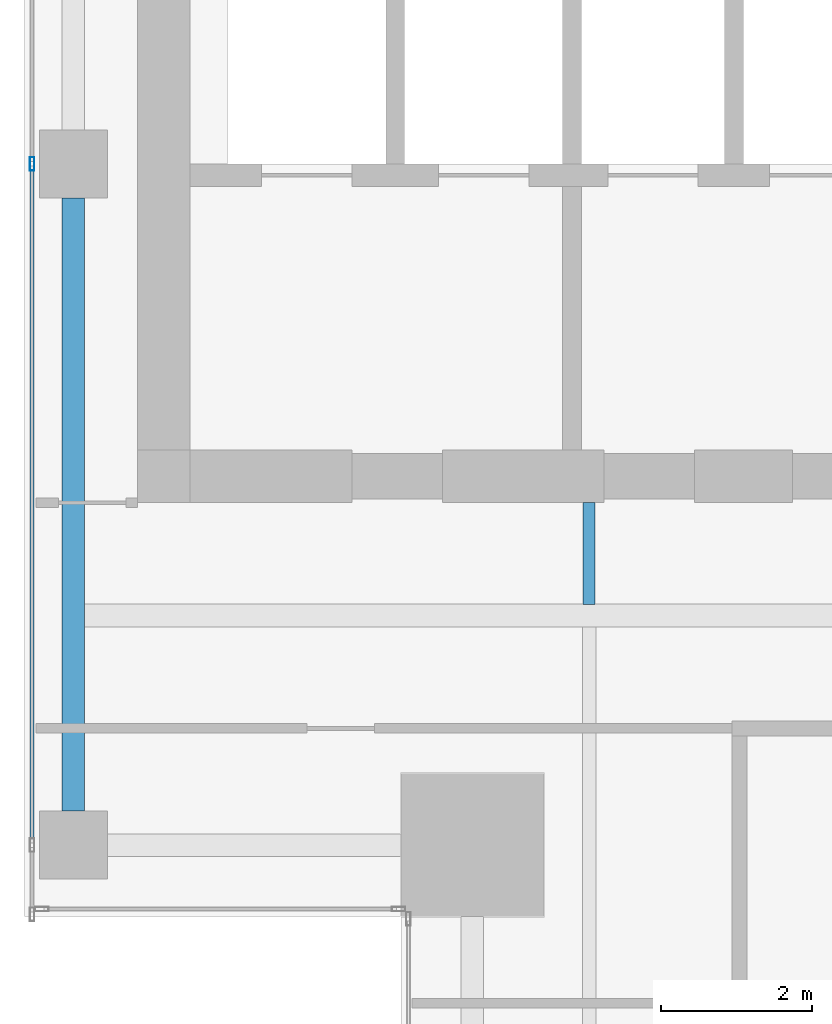
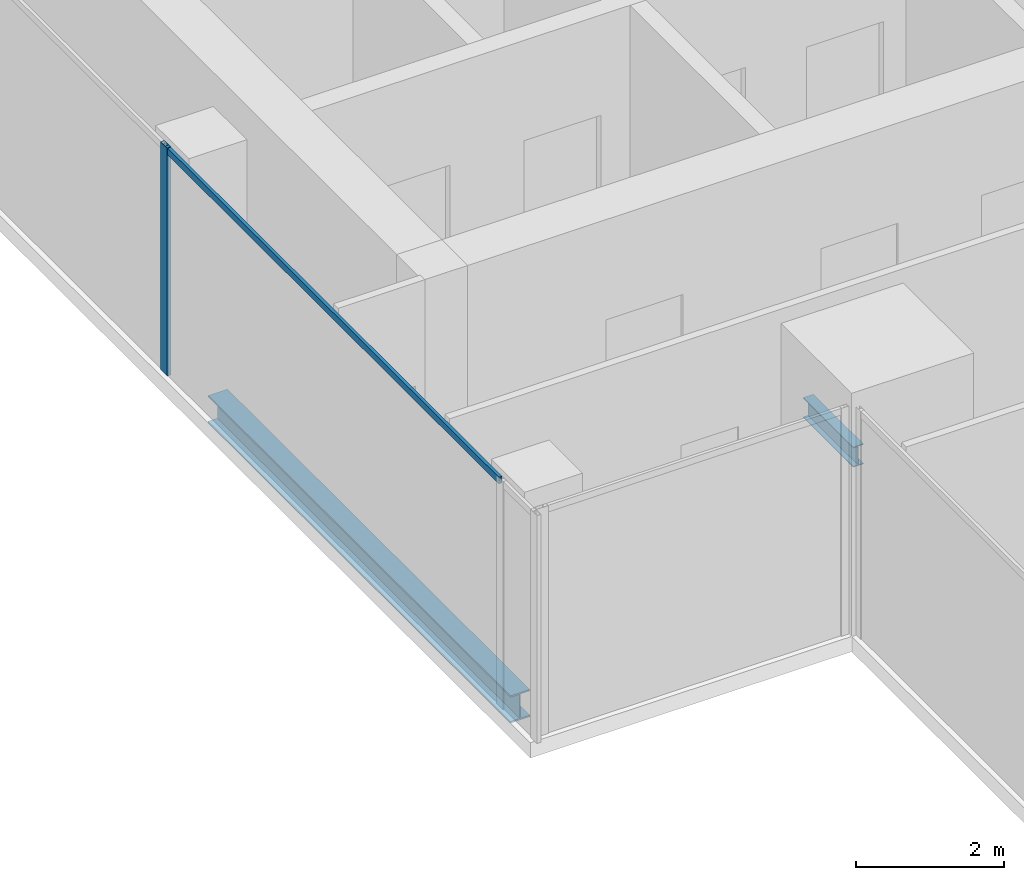
# One storey, part 4 of 34: 2 beams, 2 members, 1 element without a shape of its own.
"""IFC4 building model written with IfcOpenShell, lengths in metres."""

from ifc_helpers import new_model, si_unit, direction, frame, origin, origin_2d, place, context, subcontext, project, spatial, hollow_rectangle, i_section, extrude, source, transform, mapped, material, material_profile, profile_set, type_object, element, aggregate, save


model = new_model("IFC4")

# Units and contexts
model_context = context("Model", 3, precision=1e-05, world=origin(), true_north=direction((0.0, 1.0)))
body_context = subcontext(model_context, "Body", "Model", "MODEL_VIEW")
ifc_project = project(units=[si_unit("LENGTHUNIT", "METRE"), si_unit("AREAUNIT", "SQUARE_METRE"), si_unit("VOLUMEUNIT", "CUBIC_METRE"), si_unit("PLANEANGLEUNIT", "RADIAN"), si_unit("MASSUNIT", "GRAM", prefix="KILO")], contexts=[model_context])

# Site, building, storey
site_placement = place(None, origin())
site = spatial("IfcSite", under=ifc_project, at=site_placement, CompositionType="ELEMENT")
building_placement = place(site_placement, origin())
building = spatial("IfcBuilding", under=site, at=building_placement, Name="Khomas Fold Tower", CompositionType="ELEMENT")
storey_placement = place(building_placement, frame((0.0, 0.0, 242.199951171875)))
storey = spatial("IfcBuildingStorey", under=building, at=storey_placement, Name="L54", CompositionType="ELEMENT", Elevation=242.199951171875)

# Beams
ifc_material_1 = material(Name="Steel S355", Category="steel")
ifc_material_profile_1 = material_profile(ifc_material_1, i_section(OverallWidth=0.159912109375, OverallDepth=0.330078125, WebThickness=0.007568359375, FlangeThickness=0.011474609375, at=origin_2d()), Name="IPE 330")
ifc_profile_set_1 = profile_set([ifc_material_profile_1], Name="Steel S355")
beam_type_1 = type_object("IfcBeamType", Name="IPE 330 beam JB1", PredefinedType="BEAM", material=ifc_profile_set_1)
shared_shape_1 = source(origin(), body_context, "Body", "SweptSolid", [
    extrude(i_section(OverallWidth=0.159912109375, OverallDepth=0.330078125, WebThickness=0.007568359375, FlangeThickness=0.011474609375, at=origin_2d()), origin(), (0.0, 0.0, 1.0), 1.35009765625),
])
beam_1_placement = place(storey_placement, frame((12.0, 13.64990234375, -0.4150390625), z_axis=(0.0, 1.0, 0.0), x_axis=(-1.0, 0.0, 0.0)))
element("IfcBeam", 1, at=beam_1_placement, inside=storey, type_object=beam_type_1, Name="JB1", PredefinedType="BEAM", context=body_context, shape_type="MappedRepresentation", body=[
    mapped(shared_shape_1, transform((0.0, 0.0, 0.0))),
])
ifc_material_2 = material(Name="Steel S355", Category="steel")
ifc_material_profile_2 = material_profile(ifc_material_2, i_section(OverallWidth=0.300048828125, OverallDepth=0.449951171875, WebThickness=0.013916015625, FlangeThickness=0.02587890625, at=origin_2d()), Name="HE 450 B")
ifc_profile_set_2 = profile_set([ifc_material_profile_2], Name="Steel S355")
beam_type_2 = type_object("IfcBeamType", Name="HE 450 B spandrel SB4", PredefinedType="SPANDREL", material=ifc_profile_set_2)
shared_shape_2 = source(origin(), body_context, "Body", "SweptSolid", [
    extrude(i_section(OverallWidth=0.300048828125, OverallDepth=0.449951171875, WebThickness=0.013916015625, FlangeThickness=0.02587890625, at=origin_2d()), origin(), (0.0, 0.0, 1.0), 8.150146484375),
])
beam_2_placement = place(storey_placement, frame((5.14990234375, 10.89990234375, -0.474853515625), z_axis=(0.0, 1.0, 0.0), x_axis=(-1.0, 0.0, 0.0)))
element("IfcBeam", 2, at=beam_2_placement, inside=storey, type_object=beam_type_2, Name="SB4", PredefinedType="SPANDREL", context=body_context, shape_type="MappedRepresentation", body=[
    mapped(shared_shape_2, transform((0.0, 0.0, 0.0))),
])

# Curtain wall, members
ifc_material_3 = material(Name="Aluminium framed double glazing", Category="aluminium")
curtain_wall_type = type_object("IfcCurtainWallType", Name="SK-Unitised clear-glass wall, office floors CW2", PredefinedType="NOTDEFINED", material=ifc_material_3)
curtain_wall_placement = place(storey_placement, origin())
curtain_wall = element("IfcCurtainWall", 3, at=curtain_wall_placement, inside=storey, type_object=curtain_wall_type, Name="CW2 run L54 09-0", PredefinedType="NOTDEFINED")
ifc_material_4 = material(Name="Aluminium", Category="aluminium")
ifc_material_profile_3 = material_profile(ifc_material_4, hollow_rectangle(XDim=0.06005859375, YDim=0.179931640625, WallThickness=0.00390625, at=origin_2d()), Name="SK-Unitised clear-glass wall, office floors mullion CW2-M")
ifc_profile_set_3 = profile_set([ifc_material_profile_3], Name="Aluminium")
member_type_1 = type_object("IfcMemberType", Name="SK-Unitised clear-glass wall, office floors mullion CW2-M", PredefinedType="MULLION", material=ifc_profile_set_3)
shared_shape_3 = source(origin(), body_context, "Body", "SweptSolid", [
    extrude(hollow_rectangle(XDim=0.06005859375, YDim=0.179931640625, WallThickness=0.00390625, at=origin_2d()), origin(), (0.0, 0.0, 1.0), 3.75),
])
member_1_placement = place(storey_placement, frame((4.60009765625, 19.5, 0.0), z_axis=(0.0, 0.0, 1.0), x_axis=(1.0, 0.0, 0.0)))
member_1 = element("IfcMember", 4, at=member_1_placement, type_object=member_type_1, Name="CW2 mullion 5", PredefinedType="MULLION", context=body_context, shape_type="MappedRepresentation", body=[
    mapped(shared_shape_3, transform((0.0, 0.0, 0.0))),
])
ifc_material_5 = material(Name="Aluminium", Category="aluminium")
ifc_material_profile_4 = material_profile(ifc_material_5, hollow_rectangle(XDim=0.050048828125, YDim=0.110107421875, WallThickness=0.00390625, at=origin_2d()), Name="SK-Unitised clear-glass wall, office floors transom CW2-T")
ifc_profile_set_4 = profile_set([ifc_material_profile_4], Name="Aluminium")
member_type_2 = type_object("IfcMemberType", Name="SK-Unitised clear-glass wall, office floors transom CW2-T", PredefinedType="USERDEFINED", material=ifc_profile_set_4)
shared_shape_4 = source(origin(), body_context, "Body", "SweptSolid", [
    extrude(hollow_rectangle(XDim=0.050048828125, YDim=0.110107421875, WallThickness=0.00390625, at=origin_2d()), origin(), (0.0, 0.0, 1.0), 8.989990234375),
])
member_2_placement = place(storey_placement, frame((4.60009765625, 19.469970703125, 3.695068359375), z_axis=(0.0, -1.0, 0.0), x_axis=(1.0, 0.0, 0.0)))
member_2 = element("IfcMember", 5, at=member_2_placement, type_object=member_type_2, Name="CW2 transom 5", ObjectType="TRANSOM", PredefinedType="USERDEFINED", context=body_context, shape_type="MappedRepresentation", body=[
    mapped(shared_shape_4, transform((0.0, 0.0, 0.0))),
])
aggregate(curtain_wall, [member_1, member_2])

save(model, "model.ifc")
